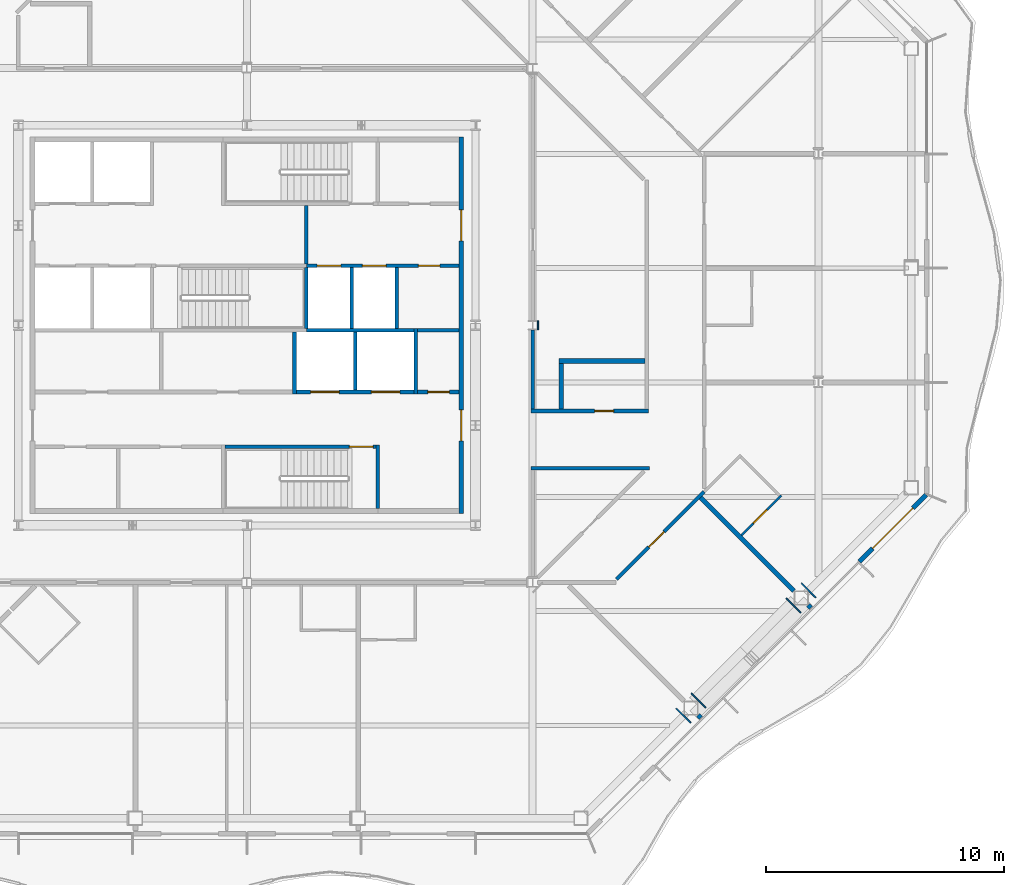
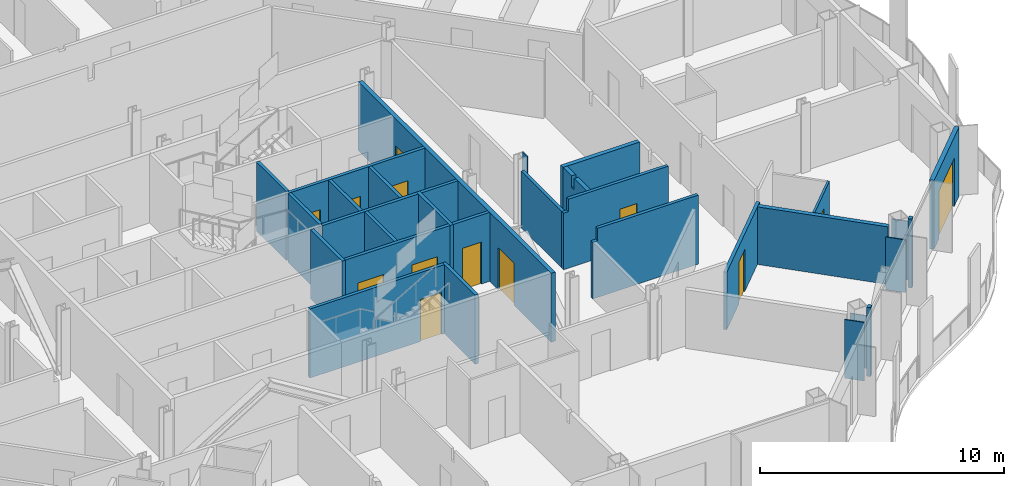
# One storey, part 10 of 21: 31 walls, 13 doors, 13 openings.
"""IFC4 building model written with IfcOpenShell, lengths in metres."""

from ifc_helpers import new_model, si_unit, direction, frame, frame_2d, origin, place, context, subcontext, project, spatial, polyline, rectangle, outline, extrude, material, layer, layer_set, type_object, element, fill, save


model = new_model("IFC4")

# Units and contexts
model_context = context("Model", 3, precision=1e-05, world=origin(), true_north=direction((0.0, 1.0)))
body_context = subcontext(model_context, "Body", "Model", "MODEL_VIEW")
ifc_project = project(units=[si_unit("LENGTHUNIT", "METRE"), si_unit("AREAUNIT", "SQUARE_METRE"), si_unit("VOLUMEUNIT", "CUBIC_METRE"), si_unit("PLANEANGLEUNIT", "RADIAN"), si_unit("MASSUNIT", "GRAM", prefix="KILO")], contexts=[model_context])

# Site, building, storey
site_placement = place(None, origin())
site = spatial("IfcSite", under=ifc_project, at=site_placement, CompositionType="ELEMENT")
building_placement = place(site_placement, origin())
building = spatial("IfcBuilding", under=site, at=building_placement, Name="Cairn Pilgrim Tower", CompositionType="ELEMENT")
storey_placement = place(building_placement, frame((0.0, 0.0, 150.60009765625)))
storey = spatial("IfcBuildingStorey", under=building, at=storey_placement, Name="L37", CompositionType="ELEMENT", Elevation=150.60009765625)

# Wall, opening, door
ifc_material_1 = material(Name="Bronze anodised aluminium insulated sandwich panel with mineral wool fill", Category="aluminium")
ifc_layer_1 = layer(ifc_material_1, 0.199951171875)
ifc_layer_set_1 = layer_set([ifc_layer_1], Name="BRONZE INFILL FRAME WALL 200")
wall_type_1 = type_object("IfcWallType", Name="BRONZE INFILL FRAME WALL 200", PredefinedType="NOTDEFINED", material=ifc_layer_set_1)
wall_1_placement = place(storey_placement, frame((32.92041015625, -7.52587890625, 0.0), z_axis=(0.0, 0.0, 1.0), x_axis=(0.707106781187, 0.707106781187, 0.0)))
wall_1 = element("IfcWall", 1, at=wall_1_placement, inside=storey, type_object=wall_type_1, Name="Bronze infill frame wall IW-SE5", PredefinedType="NOTDEFINED", context=body_context, shape_type="SweptSolid", body=[
    extrude(rectangle(XDim=3.961669921875, YDim=0.199951171875, at=frame_2d((1.98095703125, 0.0))), origin(), (0.0, 0.0, 1.0), 3.449951171875),
])
opening_1_placement = place(wall_1_placement, frame((0.78564453125, 0.0, 0.0)))
opening_1 = element("IfcOpeningElement", 2, at=opening_1_placement, cuts=wall_1, Name="Opening 3703B2", PredefinedType="OPENING", context=body_context, shape_type="SweptSolid", body=[
    extrude(rectangle(XDim=2.39990234375, YDim=2.39990234375, at=frame_2d((1.199951171875, 1.199951171875))), frame((0.0, 0.10986328125, 0.0), z_axis=(0.0, -1.0, 0.0), x_axis=(1.0, 0.0, 0.0)), (0.0, 0.0, 1.0), 0.219970703125),
])
ifc_material_2 = material(Name="Bronze anodised aluminium frame with tinted low-E glass", Category="aluminium")
door_type_1 = type_object("IfcDoorType", Name="BALCONY SLIDING DOOR 2400x2400", OperationType="DOUBLE_DOOR_SLIDING", PredefinedType="DOOR", material=ifc_material_2)
door_1_placement = place(opening_1_placement, origin())
door_1 = element("IfcDoor", 3, at=door_1_placement, inside=storey, type_object=door_type_1, Name="Balcony sliding door 3703B2", OperationType="SINGLE_SWING_LEFT", OverallHeight=2.39990234375, OverallWidth=2.39990234375, PredefinedType="DOOR", context=body_context, shape_type="SweptSolid", body=[
    extrude(rectangle(XDim=2.39990234375, YDim=2.39990234375, at=frame_2d((1.199951171875, 1.199951171875))), frame((0.0, 0.02490234375, 0.0), z_axis=(0.0, -1.0, 0.0), x_axis=(1.0, 0.0, 0.0)), (0.0, 0.0, 1.0), 0.050048828125),
])
fill(opening_1, door_1)

# Wall, openings, doors
ifc_material_3 = material(Name="Concrete C32/40", Category="concrete")
ifc_layer_2 = layer(ifc_material_3, 0.199951171875)
ifc_layer_set_2 = layer_set([ifc_layer_2], Name="CORE OUTER WALL 200 EI 120")
wall_type_2 = type_object("IfcWallType", Name="CORE OUTER WALL 200 EI 120", PredefinedType="SOLIDWALL", material=ifc_layer_set_2)
wall_2_placement = place(storey_placement, frame((16.199951171875, -5.5, 0.0), z_axis=(0.0, 0.0, 1.0), x_axis=(0.0, 1.0, 0.0)))
wall_2 = element("IfcWall", 4, at=wall_2_placement, inside=storey, type_object=wall_type_2, Name="CW:L37:V31", PredefinedType="SOLIDWALL", context=body_context, shape_type="SweptSolid", body=[
    extrude(rectangle(XDim=15.800048828125, YDim=0.199951171875, at=frame_2d((7.89990234375, 0.0))), origin(), (0.0, 0.0, 1.0), 3.449951171875),
])
opening_2_placement = place(wall_2_placement, frame((3.050048828125, 0.0, 0.0)))
opening_2 = element("IfcOpeningElement", 5, at=opening_2_placement, cuts=wall_2, Name="Opening CD-E1", PredefinedType="OPENING", context=body_context, shape_type="SweptSolid", body=[
    extrude(rectangle(XDim=1.300048828125, YDim=2.10009765625, at=frame_2d((0.64990234375, 1.050048828125))), frame((0.0, 0.10986328125, 0.0), z_axis=(0.0, -1.0, 0.0), x_axis=(1.0, 0.0, 0.0)), (0.0, 0.0, 1.0), 0.219970703125),
])
opening_3_placement = place(wall_2_placement, frame((11.449951171875, 0.0, 0.0)))
opening_3 = element("IfcOpeningElement", 6, at=opening_3_placement, cuts=wall_2, Name="Opening CD-E2", PredefinedType="OPENING", context=body_context, shape_type="SweptSolid", body=[
    extrude(rectangle(XDim=1.300048828125, YDim=2.10009765625, at=frame_2d((0.64990234375, 1.050048828125))), frame((0.0, 0.10986328125, 0.0), z_axis=(0.0, -1.0, 0.0), x_axis=(1.0, 0.0, 0.0)), (0.0, 0.0, 1.0), 0.219970703125),
])
ifc_material_4 = material(Name="Painted steel", Category="steel")
door_type_2 = type_object("IfcDoorType", Name="CORE LOBBY DOOR 1300x2100", OperationType="DOUBLE_DOOR_SINGLE_SWING", PredefinedType="DOOR", material=ifc_material_4)
door_2_placement = place(opening_2_placement, origin())
door_2 = element("IfcDoor", 7, at=door_2_placement, inside=storey, type_object=door_type_2, Name="CD-E1", OperationType="DOUBLE_DOOR_SINGLE_SWING", OverallHeight=2.10009765625, OverallWidth=1.300048828125, PredefinedType="DOOR", context=body_context, shape_type="SweptSolid", body=[
    extrude(rectangle(XDim=1.300048828125, YDim=2.10009765625, at=frame_2d((0.64990234375, 1.050048828125))), frame((0.0, 0.02490234375, 0.0), z_axis=(0.0, -1.0, 0.0), x_axis=(1.0, 0.0, 0.0)), (0.0, 0.0, 1.0), 0.050048828125),
])
fill(opening_2, door_2)
door_3_placement = place(opening_3_placement, origin())
door_3 = element("IfcDoor", 8, at=door_3_placement, inside=storey, type_object=door_type_2, Name="CD-E2", OperationType="DOUBLE_DOOR_SINGLE_SWING", OverallHeight=2.10009765625, OverallWidth=1.300048828125, PredefinedType="DOOR", context=body_context, shape_type="SweptSolid", body=[
    extrude(rectangle(XDim=1.300048828125, YDim=2.10009765625, at=frame_2d((0.64990234375, 1.050048828125))), frame((0.0, 0.02490234375, 0.0), z_axis=(0.0, -1.0, 0.0), x_axis=(1.0, 0.0, 0.0)), (0.0, 0.0, 1.0), 0.050048828125),
])
fill(opening_3, door_3)

# Wall, opening, door
ifc_layer_3 = layer(ifc_material_3, 0.14990234375)
ifc_layer_set_3 = layer_set([ifc_layer_3], Name="CORE PARTITION 150 EI 60")
wall_type_3 = type_object("IfcWallType", Name="CORE PARTITION 150 EI 60", PredefinedType="PARTITIONING", material=ifc_layer_set_3)
wall_3_placement = place(storey_placement, frame((14.375, -0.39990234375, 0.0), z_axis=(0.0, 0.0, 1.0), x_axis=(1.0, 0.0, 0.0)))
wall_3 = element("IfcWall", 9, at=wall_3_placement, inside=storey, type_object=wall_type_3, Name="CW:L37:H06", PredefinedType="PARTITIONING", context=body_context, shape_type="SweptSolid", body=[
    extrude(rectangle(XDim=1.72509765625, YDim=0.14990234375, at=frame_2d((0.862548828125, 0.0))), origin(), (0.0, 0.0, 1.0), 3.449951171875),
])
opening_4_placement = place(wall_3_placement, frame((0.425048828125, 0.0, 0.0)))
opening_4 = element("IfcOpeningElement", 10, at=opening_4_placement, cuts=wall_3, Name="Opening RD-R2E", PredefinedType="OPENING", context=body_context, shape_type="SweptSolid", body=[
    extrude(rectangle(XDim=0.89990234375, YDim=2.10009765625, at=frame_2d((0.449951171875, 1.050048828125))), frame((0.0, 0.0849609375, 0.0), z_axis=(0.0, -1.0, 0.0), x_axis=(1.0, 0.0, 0.0)), (0.0, 0.0, 1.0), 0.169921875),
])
door_type_3 = type_object("IfcDoorType", Name="SERVICE ROOM DOOR 900x2100", OperationType="SINGLE_SWING_LEFT", PredefinedType="DOOR", material=ifc_material_4)
door_4_placement = place(opening_4_placement, origin())
door_4 = element("IfcDoor", 11, at=door_4_placement, inside=storey, type_object=door_type_3, Name="RD-R2E", OperationType="SINGLE_SWING_RIGHT", OverallHeight=2.10009765625, OverallWidth=0.89990234375, PredefinedType="DOOR", context=body_context, shape_type="SweptSolid", body=[
    extrude(rectangle(XDim=0.89990234375, YDim=2.10009765625, at=frame_2d((0.449951171875, 1.050048828125))), frame((0.0, 0.02490234375, 0.0), z_axis=(0.0, -1.0, 0.0), x_axis=(1.0, 0.0, 0.0)), (0.0, 0.0, 1.0), 0.050048828125),
])
fill(opening_4, door_4)

# Wall
wall_4_placement = place(storey_placement, frame((14.375, 2.199951171875, 0.0), z_axis=(0.0, 0.0, 1.0), x_axis=(1.0, 0.0, 0.0)))
element("IfcWall", 12, at=wall_4_placement, inside=storey, type_object=wall_type_3, Name="CW:L37:H08", PredefinedType="PARTITIONING", context=body_context, shape_type="SweptSolid", body=[
    extrude(rectangle(XDim=1.72509765625, YDim=0.14990234375, at=frame_2d((0.862548828125, 0.0))), origin(), (0.0, 0.0, 1.0), 3.449951171875),
])

# Wall, openings, doors
ifc_layer_4 = layer(ifc_material_3, 0.14990234375)
ifc_layer_set_4 = layer_set([ifc_layer_4], Name="CORE SHAFT WALL 150 EI 120")
wall_type_4 = type_object("IfcWallType", Name="CORE SHAFT WALL 150 EI 120", PredefinedType="SOLIDWALL", material=ifc_layer_set_4)
wall_5_placement = place(storey_placement, frame((9.27490234375, -0.39990234375, 0.0), z_axis=(0.0, 0.0, 1.0), x_axis=(1.0, 0.0, 0.0)))
wall_5 = element("IfcWall", 13, at=wall_5_placement, inside=storey, type_object=wall_type_4, Name="CW:L37:H05", PredefinedType="SOLIDWALL", context=body_context, shape_type="SweptSolid", body=[
    extrude(rectangle(XDim=4.9501953125, YDim=0.14990234375, at=frame_2d((2.47509765625, 0.0))), origin(), (0.0, 0.0, 1.0), 3.449951171875),
])
opening_5_placement = place(wall_5_placement, frame((0.60009765625, 0.0, 0.0)))
opening_5 = element("IfcOpeningElement", 14, at=opening_5_placement, cuts=wall_5, Name="Opening LD-SV1", PredefinedType="OPENING", context=body_context, shape_type="SweptSolid", body=[
    extrude(rectangle(XDim=1.199951171875, YDim=2.10009765625, at=frame_2d((0.60009765625, 1.050048828125))), frame((0.0, 0.0849609375, 0.0), z_axis=(0.0, -1.0, 0.0), x_axis=(1.0, 0.0, 0.0)), (0.0, 0.0, 1.0), 0.169921875),
])
opening_6_placement = place(wall_5_placement, frame((3.14990234375, 0.0, 0.0)))
opening_6 = element("IfcOpeningElement", 15, at=opening_6_placement, cuts=wall_5, Name="Opening LD-SV2", PredefinedType="OPENING", context=body_context, shape_type="SweptSolid", body=[
    extrude(rectangle(XDim=1.199951171875, YDim=2.10009765625, at=frame_2d((0.60009765625, 1.050048828125))), frame((0.0, 0.0849609375, 0.0), z_axis=(0.0, -1.0, 0.0), x_axis=(1.0, 0.0, 0.0)), (0.0, 0.0, 1.0), 0.169921875),
])
ifc_material_5 = material(Name="Stainless steel", Category="steel")
door_type_4 = type_object("IfcDoorType", Name="LIFT LANDING DOOR 1200x2100", OperationType="DOUBLE_DOOR_SLIDING", PredefinedType="DOOR", material=ifc_material_5)
door_5_placement = place(opening_5_placement, origin())
door_5 = element("IfcDoor", 16, at=door_5_placement, inside=storey, type_object=door_type_4, Name="LANDING DOOR SV1", OperationType="DOUBLE_DOOR_SLIDING", OverallHeight=2.10009765625, OverallWidth=1.199951171875, PredefinedType="DOOR", context=body_context, shape_type="SweptSolid", body=[
    extrude(rectangle(XDim=1.199951171875, YDim=2.10009765625, at=frame_2d((0.60009765625, 1.050048828125))), frame((0.0, 0.02490234375, 0.0), z_axis=(0.0, -1.0, 0.0), x_axis=(1.0, 0.0, 0.0)), (0.0, 0.0, 1.0), 0.050048828125),
])
fill(opening_5, door_5)
door_6_placement = place(opening_6_placement, origin())
door_6 = element("IfcDoor", 17, at=door_6_placement, inside=storey, type_object=door_type_4, Name="LANDING DOOR SV2", OperationType="DOUBLE_DOOR_SLIDING", OverallHeight=2.10009765625, OverallWidth=1.199951171875, PredefinedType="DOOR", context=body_context, shape_type="SweptSolid", body=[
    extrude(rectangle(XDim=1.199951171875, YDim=2.10009765625, at=frame_2d((0.60009765625, 1.050048828125))), frame((0.0, 0.02490234375, 0.0), z_axis=(0.0, -1.0, 0.0), x_axis=(1.0, 0.0, 0.0)), (0.0, 0.0, 1.0), 0.050048828125),
])
fill(opening_6, door_6)

# Wall
wall_6_placement = place(storey_placement, frame((9.699951171875, 2.199951171875, 0.0), z_axis=(0.0, 0.0, 1.0), x_axis=(1.0, 0.0, 0.0)))
element("IfcWall", 18, at=wall_6_placement, inside=storey, type_object=wall_type_4, Name="CW:L37:H07-3", PredefinedType="SOLIDWALL", context=body_context, shape_type="SweptSolid", body=[
    extrude(rectangle(XDim=4.525146484375, YDim=0.14990234375, at=frame_2d((2.2626953125, 0.0))), origin(), (0.0, 0.0, 1.0), 3.449951171875),
])

# Wall, openings, doors
wall_7_placement = place(storey_placement, frame((9.699951171875, 4.89990234375, 0.0), z_axis=(0.0, 0.0, 1.0), x_axis=(1.0, 0.0, 0.0)))
wall_7 = element("IfcWall", 19, at=wall_7_placement, inside=storey, type_object=wall_type_4, Name="CW:L37:H09-3", PredefinedType="SOLIDWALL", context=body_context, shape_type="SweptSolid", body=[
    extrude(rectangle(XDim=6.400146484375, YDim=0.14990234375, at=frame_2d((3.2001953125, 0.0))), origin(), (0.0, 0.0, 1.0), 3.449951171875),
])
opening_7_placement = place(wall_7_placement, frame((0.449951171875, 0.0, 0.0)))
opening_7 = element("IfcOpeningElement", 20, at=opening_7_placement, cuts=wall_7, Name="Opening LD-FF1", PredefinedType="OPENING", context=body_context, shape_type="SweptSolid", body=[
    extrude(rectangle(XDim=1.0, YDim=2.10009765625, at=frame_2d((0.5, 1.050048828125))), frame((0.0, 0.0849609375, 0.0), z_axis=(0.0, -1.0, 0.0), x_axis=(1.0, 0.0, 0.0)), (0.0, 0.0, 1.0), 0.169921875),
])
opening_8_placement = place(wall_7_placement, frame((2.35009765625, 0.0, 0.0)))
opening_8 = element("IfcOpeningElement", 21, at=opening_8_placement, cuts=wall_7, Name="Opening LD-FF2", PredefinedType="OPENING", context=body_context, shape_type="SweptSolid", body=[
    extrude(rectangle(XDim=1.0, YDim=2.10009765625, at=frame_2d((0.5, 1.050048828125))), frame((0.0, 0.0849609375, 0.0), z_axis=(0.0, -1.0, 0.0), x_axis=(1.0, 0.0, 0.0)), (0.0, 0.0, 1.0), 0.169921875),
])
opening_9_placement = place(wall_7_placement, frame((4.699951171875, 0.0, 0.0)))
opening_9 = element("IfcOpeningElement", 22, at=opening_9_placement, cuts=wall_7, Name="Opening RD-R3E", PredefinedType="OPENING", context=body_context, shape_type="SweptSolid", body=[
    extrude(rectangle(XDim=0.89990234375, YDim=2.10009765625, at=frame_2d((0.449951171875, 1.050048828125))), frame((0.0, 0.0849609375, 0.0), z_axis=(0.0, -1.0, 0.0), x_axis=(1.0, 0.0, 0.0)), (0.0, 0.0, 1.0), 0.169921875),
])
door_type_5 = type_object("IfcDoorType", Name="LIFT LANDING DOOR FIRE 1000x2100", OperationType="DOUBLE_DOOR_SLIDING", PredefinedType="DOOR", material=ifc_material_5)
door_7_placement = place(opening_7_placement, origin())
door_7 = element("IfcDoor", 23, at=door_7_placement, inside=storey, type_object=door_type_5, Name="LANDING DOOR FF1", OperationType="DOUBLE_DOOR_SLIDING", OverallHeight=2.10009765625, OverallWidth=1.0, PredefinedType="DOOR", context=body_context, shape_type="SweptSolid", body=[
    extrude(rectangle(XDim=1.0, YDim=2.10009765625, at=frame_2d((0.5, 1.050048828125))), frame((0.0, 0.02490234375, 0.0), z_axis=(0.0, -1.0, 0.0), x_axis=(1.0, 0.0, 0.0)), (0.0, 0.0, 1.0), 0.050048828125),
])
fill(opening_7, door_7)
door_8_placement = place(opening_8_placement, origin())
door_8 = element("IfcDoor", 24, at=door_8_placement, inside=storey, type_object=door_type_5, Name="LANDING DOOR FF2", OperationType="DOUBLE_DOOR_SLIDING", OverallHeight=2.10009765625, OverallWidth=1.0, PredefinedType="DOOR", context=body_context, shape_type="SweptSolid", body=[
    extrude(rectangle(XDim=1.0, YDim=2.10009765625, at=frame_2d((0.5, 1.050048828125))), frame((0.0, 0.02490234375, 0.0), z_axis=(0.0, -1.0, 0.0), x_axis=(1.0, 0.0, 0.0)), (0.0, 0.0, 1.0), 0.050048828125),
])
fill(opening_8, door_8)
door_9_placement = place(opening_9_placement, origin())
door_9 = element("IfcDoor", 25, at=door_9_placement, inside=storey, type_object=door_type_3, Name="RD-R3E", OperationType="SINGLE_SWING_LEFT", OverallHeight=2.10009765625, OverallWidth=0.89990234375, PredefinedType="DOOR", context=body_context, shape_type="SweptSolid", body=[
    extrude(rectangle(XDim=0.89990234375, YDim=2.10009765625, at=frame_2d((0.449951171875, 1.050048828125))), frame((0.0, 0.02490234375, 0.0), z_axis=(0.0, -1.0, 0.0), x_axis=(1.0, 0.0, 0.0)), (0.0, 0.0, 1.0), 0.050048828125),
])
fill(opening_9, door_9)

# Walls
wall_8_placement = place(storey_placement, frame((9.199951171875, -0.47509765625, 0.0), z_axis=(0.0, 0.0, 1.0), x_axis=(0.0, 1.0, 0.0)))
element("IfcWall", 26, at=wall_8_placement, inside=storey, type_object=wall_type_4, Name="CW:L37:V22", PredefinedType="SOLIDWALL", context=body_context, shape_type="SweptSolid", body=[
    extrude(rectangle(XDim=2.60009765625, YDim=0.14990234375, at=frame_2d((1.300048828125, 0.0))), origin(), (0.0, 0.0, 1.0), 3.449951171875),
])
wall_9_placement = place(storey_placement, frame((9.699951171875, 4.97509765625, 0.0), z_axis=(0.0, 0.0, 1.0), x_axis=(0.0, 1.0, 0.0)))
element("IfcWall", 27, at=wall_9_placement, inside=storey, type_object=wall_type_4, Name="CW:L37:V24", PredefinedType="SOLIDWALL", context=body_context, shape_type="SweptSolid", body=[
    extrude(rectangle(XDim=2.449951171875, YDim=0.14990234375, at=frame_2d((1.22509765625, 0.0))), origin(), (0.0, 0.0, 1.0), 3.449951171875),
])
wall_10_placement = place(storey_placement, frame((11.60009765625, 2.27490234375, 0.0), z_axis=(0.0, 0.0, 1.0), x_axis=(0.0, 1.0, 0.0)))
element("IfcWall", 28, at=wall_10_placement, inside=storey, type_object=wall_type_4, Name="CW:L37:V25", PredefinedType="SOLIDWALL", context=body_context, shape_type="SweptSolid", body=[
    extrude(rectangle(XDim=2.550048828125, YDim=0.14990234375, at=frame_2d((1.27490234375, 0.0))), origin(), (0.0, 0.0, 1.0), 3.449951171875),
])
wall_11_placement = place(storey_placement, frame((11.75, -0.324951171875, 0.0), z_axis=(0.0, 0.0, 1.0), x_axis=(0.0, 1.0, 0.0)))
element("IfcWall", 29, at=wall_11_placement, inside=storey, type_object=wall_type_4, Name="CW:L37:V26", PredefinedType="SOLIDWALL", context=body_context, shape_type="SweptSolid", body=[
    extrude(rectangle(XDim=2.449951171875, YDim=0.14990234375, at=frame_2d((1.22509765625, 0.0))), origin(), (0.0, 0.0, 1.0), 3.449951171875),
])
wall_12_placement = place(storey_placement, frame((13.5, 2.27490234375, 0.0), z_axis=(0.0, 0.0, 1.0), x_axis=(0.0, 1.0, 0.0)))
element("IfcWall", 30, at=wall_12_placement, inside=storey, type_object=wall_type_4, Name="CW:L37:V29", PredefinedType="SOLIDWALL", context=body_context, shape_type="SweptSolid", body=[
    extrude(rectangle(XDim=2.550048828125, YDim=0.14990234375, at=frame_2d((1.27490234375, 0.0))), origin(), (0.0, 0.0, 1.0), 3.449951171875),
])
wall_13_placement = place(storey_placement, frame((14.300048828125, -0.47509765625, 0.0), z_axis=(0.0, 0.0, 1.0), x_axis=(0.0, 1.0, 0.0)))
element("IfcWall", 31, at=wall_13_placement, inside=storey, type_object=wall_type_4, Name="CW:L37:V30", PredefinedType="SOLIDWALL", context=body_context, shape_type="SweptSolid", body=[
    extrude(rectangle(XDim=2.75, YDim=0.14990234375, at=frame_2d((1.375, 0.0))), origin(), (0.0, 0.0, 1.0), 3.449951171875),
])

# Wall, opening, door
ifc_material_6 = material(Name="Gypsum partition")
ifc_layer_5 = layer(ifc_material_6, 0.10009765625)
ifc_layer_set_5 = layer_set([ifc_layer_5], Name="PARTITION 100 DRYWALL")
wall_type_5 = type_object("IfcWallType", Name="PARTITION 100 DRYWALL", PredefinedType="PARTITIONING", material=ifc_layer_set_5)
wall_14_placement = place(storey_placement, frame((27.976806640625, -6.411376953125, 0.0), z_axis=(0.0, 0.0, 1.0), x_axis=(0.707054828152, 0.707158730404, 0.0)))
wall_14 = element("IfcWall", 32, at=wall_14_placement, inside=storey, type_object=wall_type_5, Name="PARTITION W037", PredefinedType="PARTITIONING", context=body_context, shape_type="SweptSolid", body=[
    extrude(rectangle(XDim=2.349609375, YDim=0.10009765625, at=frame_2d((1.1748046875, 0.0))), origin(), (0.0, 0.0, 1.0), 2.8798828125),
])
opening_10_placement = place(wall_14_placement, frame((0.699951171875, 0.0, 0.0)))
opening_10 = element("IfcOpeningElement", 33, at=opening_10_placement, cuts=wall_14, Name="Opening 3703A", PredefinedType="OPENING", context=body_context, shape_type="SweptSolid", body=[
    extrude(rectangle(XDim=0.800048828125, YDim=2.10009765625, at=frame_2d((0.39990234375, 1.050048828125))), frame((0.0, 0.06005859375, 0.0), z_axis=(0.0, -1.0, 0.0), x_axis=(1.0, 0.0, 0.0)), (0.0, 0.0, 1.0), 0.1201171875),
])
ifc_material_7 = material(Name="Timber door leaf", Category="wood")
door_type_6 = type_object("IfcDoorType", Name="WC DOOR 800x2100", OperationType="NOTDEFINED", PredefinedType="DOOR", material=ifc_material_7)
door_10_placement = place(opening_10_placement, frame((0.800048828125, 0.0, 0.0), z_axis=(0.0, 0.0, 1.0), x_axis=(-1.0, 0.0, 0.0)))
door_10 = element("IfcDoor", 34, at=door_10_placement, inside=storey, type_object=door_type_6, Name="DOOR 3703A", OperationType="SINGLE_SWING_LEFT", OverallHeight=2.10009765625, OverallWidth=0.800048828125, PredefinedType="DOOR", context=body_context, shape_type="SweptSolid", body=[
    extrude(rectangle(XDim=0.800048828125, YDim=2.10009765625, at=frame_2d((0.39990234375, 1.050048828125))), frame((0.0, 0.02490234375, 0.0), z_axis=(0.0, -1.0, 0.0), x_axis=(1.0, 0.0, 0.0)), (0.0, 0.0, 1.0), 0.050048828125),
])
fill(opening_10, door_10)

ifc_layer_6 = layer(ifc_material_6, 0.14990234375)
ifc_layer_set_6 = layer_set([ifc_layer_6], Name="PARTITION 150 DRYWALL EI 60")
wall_type_6 = type_object("IfcWallType", Name="PARTITION 150 DRYWALL EI 60", PredefinedType="PARTITIONING", material=ifc_layer_set_6)
wall_15_placement = place(storey_placement, frame((22.721923828125, -8.27197265625, 0.0), z_axis=(0.0, 0.0, 1.0), x_axis=(0.707106781187, 0.707106781187, 0.0)))
wall_15 = element("IfcWall", 35, at=wall_15_placement, inside=storey, type_object=wall_type_6, Name="PARTITION W031", PredefinedType="PARTITIONING", context=body_context, shape_type="SweptSolid", body=[
    extrude(rectangle(XDim=5.201416015625, YDim=0.14990234375, at=frame_2d((2.6005859375, 0.0))), origin(), (0.0, 0.0, 1.0), 2.8798828125),
])
opening_11_placement = place(wall_15_placement, frame((1.92529296875, 0.0, 0.0)))
opening_11 = element("IfcOpeningElement", 36, at=opening_11_placement, cuts=wall_15, Name="Opening 3702", PredefinedType="OPENING", context=body_context, shape_type="SweptSolid", body=[
    extrude(rectangle(XDim=0.89990234375, YDim=2.10009765625, at=frame_2d((0.449951171875, 1.050048828125))), frame((0.0, 0.0849609375, 0.0), z_axis=(0.0, -1.0, 0.0), x_axis=(1.0, 0.0, 0.0)), (0.0, 0.0, 1.0), 0.169921875),
])
door_type_7 = type_object("IfcDoorType", Name="SERVICE DOOR 900x2100 FD30S", OperationType="NOTDEFINED", PredefinedType="DOOR", material=ifc_material_7)
door_11_placement = place(opening_11_placement, frame((0.89990234375, 0.0, 0.0), z_axis=(0.0, 0.0, 1.0), x_axis=(-1.0, 0.0, 0.0)))
door_11 = element("IfcDoor", 37, at=door_11_placement, inside=storey, type_object=door_type_7, Name="DOOR 3702", OperationType="SINGLE_SWING_LEFT", OverallHeight=2.10009765625, OverallWidth=0.89990234375, PredefinedType="DOOR", context=body_context, shape_type="SweptSolid", body=[
    extrude(rectangle(XDim=0.89990234375, YDim=2.10009765625, at=frame_2d((0.449951171875, 1.050048828125))), frame((0.0, 0.02490234375, 0.0), z_axis=(0.0, -1.0, 0.0), x_axis=(1.0, 0.0, 0.0)), (0.0, 0.0, 1.0), 0.050048828125),
])
fill(opening_11, door_11)

# Wall
wall_16_placement = place(storey_placement, frame((19.125, -3.60009765625, 0.0), z_axis=(0.0, 0.0, 1.0), x_axis=(1.0, 0.0, 0.0)))
element("IfcWall", 38, at=wall_16_placement, inside=storey, type_object=wall_type_6, Name="PARTITION W043", PredefinedType="PARTITIONING", context=body_context, shape_type="SweptSolid", body=[
    extrude(outline(polyline([(0.0, 0.0), (4.981201171875, 0.0), (4.981201171875, 3.449951171875), (0.22509765625, 3.449951171875), (0.222900390625, 2.829833984375), (0.0, 2.829833984375), (0.0, 0.0)])), frame((0.0, 0.074951171875, 0.0), z_axis=(0.0, -1.0, 0.0), x_axis=(1.0, 0.0, 0.0)), (0.0, 0.0, 1.0), 0.14990234375),
])

# Wall, opening, door
wall_17_placement = place(storey_placement, frame((19.125, -1.199951171875, 0.0), z_axis=(0.0, 0.0, 1.0), x_axis=(1.0, 0.0, 0.0)))
wall_17 = element("IfcWall", 39, at=wall_17_placement, inside=storey, type_object=wall_type_6, Name="PARTITION W045", PredefinedType="PARTITIONING", context=body_context, shape_type="SweptSolid", body=[
    extrude(outline(polyline([(0.0, 0.0), (4.949951171875, 0.0), (4.949951171875, 3.449951171875), (0.22509765625, 3.449951171875), (0.222900390625, 2.829833984375), (0.0, 2.829833984375), (0.0, 0.0)])), frame((0.0, 0.074951171875, 0.0), z_axis=(0.0, -1.0, 0.0), x_axis=(1.0, 0.0, 0.0)), (0.0, 0.0, 1.0), 0.14990234375),
])
opening_12_placement = place(wall_17_placement, frame((2.675048828125, 0.0, 0.0)))
opening_12 = element("IfcOpeningElement", 40, at=opening_12_placement, cuts=wall_17, Name="Opening 3724", PredefinedType="OPENING", context=body_context, shape_type="SweptSolid", body=[
    extrude(rectangle(XDim=0.800048828125, YDim=2.10009765625, at=frame_2d((0.39990234375, 1.050048828125))), frame((0.0, 0.0849609375, 0.0), z_axis=(0.0, -1.0, 0.0), x_axis=(1.0, 0.0, 0.0)), (0.0, 0.0, 1.0), 0.169921875),
])
door_type_8 = type_object("IfcDoorType", Name="WC DOOR 800x2100 FD30S", OperationType="NOTDEFINED", PredefinedType="DOOR", material=ifc_material_7)
door_12_placement = place(opening_12_placement, origin())
door_12 = element("IfcDoor", 41, at=door_12_placement, inside=storey, type_object=door_type_8, Name="DOOR 3724", OperationType="SINGLE_SWING_LEFT", OverallHeight=2.10009765625, OverallWidth=0.800048828125, PredefinedType="DOOR", context=body_context, shape_type="SweptSolid", body=[
    extrude(rectangle(XDim=0.800048828125, YDim=2.10009765625, at=frame_2d((0.39990234375, 1.050048828125))), frame((0.0, 0.02490234375, 0.0), z_axis=(0.0, -1.0, 0.0), x_axis=(1.0, 0.0, 0.0)), (0.0, 0.0, 1.0), 0.050048828125),
])
fill(opening_12, door_12)

# Walls
wall_18_placement = place(storey_placement, frame((19.199951171875, -1.125, 0.0), z_axis=(0.0, 0.0, 1.0), x_axis=(0.0, 1.0, 0.0)))
element("IfcWall", 42, at=wall_18_placement, inside=storey, type_object=wall_type_6, Name="PARTITION W048", PredefinedType="PARTITIONING", context=body_context, shape_type="SweptSolid", body=[
    extrude(rectangle(XDim=3.32861328125, YDim=0.14990234375, at=frame_2d((1.664306640625, 0.0))), origin(), (0.0, 0.0, 1.0), 2.829833984375),
])
ifc_layer_7 = layer(ifc_material_6, 0.050048828125)
ifc_layer_set_7 = layer_set([ifc_layer_7], Name="PARTITION 50 DRYWALL EI 60")
wall_type_7 = type_object("IfcWallType", Name="PARTITION 50 DRYWALL EI 60", PredefinedType="PARTITIONING", material=ifc_layer_set_7)
wall_19_placement = place(storey_placement, frame((25.833740234375, -14.29345703125, 0.0), z_axis=(0.0, 0.0, 1.0), x_axis=(-0.706962899457, 0.707250633645, 0.0)))
element("IfcWall", 43, at=wall_19_placement, inside=storey, type_object=wall_type_7, Name="COLUMN CASING WC05", PredefinedType="PARTITIONING", context=body_context, shape_type="SweptSolid", body=[
    extrude(rectangle(XDim=0.848388671875, YDim=0.050048828125, at=frame_2d((0.42431640625, 0.0))), origin(), (0.0, 0.0, 1.0), 2.929931640625),
])
wall_20_placement = place(storey_placement, frame((26.46923828125, -13.657958984375, 0.0), z_axis=(0.0, 0.0, 1.0), x_axis=(-0.707250633645, 0.706962899457, 0.0)))
element("IfcWall", 44, at=wall_20_placement, inside=storey, type_object=wall_type_7, Name="COLUMN CASING WC06", PredefinedType="PARTITIONING", context=body_context, shape_type="SweptSolid", body=[
    extrude(rectangle(XDim=0.848388671875, YDim=0.050048828125, at=frame_2d((0.42431640625, 0.0))), origin(), (0.0, 0.0, 1.0), 2.6298828125),
])
wall_21_placement = place(storey_placement, frame((30.4580078125, -9.669189453125, 0.0), z_axis=(0.0, 0.0, 1.0), x_axis=(-0.707106781187, 0.707106781187, 0.0)))
element("IfcWall", 45, at=wall_21_placement, inside=storey, type_object=wall_type_7, Name="COLUMN CASING WC08", PredefinedType="PARTITIONING", context=body_context, shape_type="SweptSolid", body=[
    extrude(rectangle(XDim=0.8486328125, YDim=0.050048828125, at=frame_2d((0.42431640625, 0.0))), origin(), (0.0, 0.0, 1.0), 2.6298828125),
])
wall_22_placement = place(storey_placement, frame((31.093505859375, -9.03369140625, 0.0), z_axis=(0.0, 0.0, 1.0), x_axis=(-0.707250633645, 0.706962899457, 0.0)))
element("IfcWall", 46, at=wall_22_placement, inside=storey, type_object=wall_type_7, Name="COLUMN CASING WC09", PredefinedType="PARTITIONING", context=body_context, shape_type="SweptSolid", body=[
    extrude(rectangle(XDim=0.848388671875, YDim=0.050048828125, at=frame_2d((0.42431640625, 0.0))), origin(), (0.0, 0.0, 1.0), 2.929931640625),
])
wall_23_placement = place(storey_placement, frame((19.424560546875, 2.20361328125, 0.0), z_axis=(0.0, 0.0, 1.0), x_axis=(0.0, 1.0, 0.0)))
element("IfcWall", 47, at=wall_23_placement, inside=storey, type_object=wall_type_7, Name="COLUMN CASING WC19", PredefinedType="PARTITIONING", context=body_context, shape_type="SweptSolid", body=[
    extrude(rectangle(XDim=0.392822265625, YDim=0.050048828125, at=frame_2d((0.1962890625, 0.0))), origin(), (0.0, 0.0, 1.0), 3.449951171875),
])
ifc_layer_8 = layer(ifc_material_6, 0.199951171875)
ifc_layer_set_8 = layer_set([ifc_layer_8], Name="SHAFT WALL 200 GYPSUM EI 60")
wall_type_8 = type_object("IfcWallType", Name="SHAFT WALL 200 GYPSUM EI 60", PredefinedType="PARTITIONING", material=ifc_layer_set_8)
for number, where, z_axis, x_axis, name in (
    (48, (26.268798828125, -14.0927734375, 0.0), (0.0, 0.0, 1.0), (-0.707106781187, 0.707106781187, 0.0), "PARTITION W008"),
    (49, (30.892822265625, -9.46875, 0.0), (0.0, 0.0, 1.0), (-0.707106781187, 0.707106781187, 0.0), "PARTITION W023"),
):
    element("IfcWall", number, at=place(storey_placement, frame(where, z_axis=z_axis, x_axis=x_axis)), inside=storey, type_object=wall_type_8, Name=name, PredefinedType="PARTITIONING", context=body_context, shape_type="SweptSolid", body=[
        extrude(rectangle(XDim=0.165771484375, YDim=0.199951171875, at=frame_2d((0.0830078125, 0.0))), origin(), (0.0, 0.0, 1.0), 3.449951171875),
    ])
wall_24_placement = place(storey_placement, frame((30.175537109375, -8.751708984375, 0.0), z_axis=(0.0, 0.0, 1.0), x_axis=(-0.707084725798, 0.707128835887, 0.0)))
element("IfcWall", 50, at=wall_24_placement, inside=storey, type_object=wall_type_8, Name="PARTITION W025", PredefinedType="PARTITIONING", context=body_context, shape_type="SweptSolid", body=[
    extrude(rectangle(XDim=5.534912109375, YDim=0.199951171875, at=frame_2d((2.767578125, 0.0))), origin(), (0.0, 0.0, 1.0), 2.8798828125),
])
wall_25_placement = place(storey_placement, frame((20.39990234375, -1.125, 0.0), z_axis=(0.0, 0.0, 1.0), x_axis=(0.0, 1.0, 0.0)))
element("IfcWall", 51, at=wall_25_placement, inside=storey, type_object=wall_type_8, Name="PARTITION W049", PredefinedType="PARTITIONING", context=body_context, shape_type="SweptSolid", body=[
    extrude(outline(polyline([(0.0, 0.0), (1.925048828125, 0.0), (1.925048828125, 3.449951171875), (1.22998046875, 3.449951171875), (1.22802734375, 2.8798828125), (1.02001953125, 2.8798828125), (1.01806640625, 3.449951171875), (0.0, 3.449951171875), (0.0, 0.0)])), frame((0.0, 0.10009765625, 0.0), z_axis=(0.0, -1.0, 0.0), x_axis=(1.0, 0.0, 0.0)), (0.0, 0.0, 1.0), 0.199951171875),
])
wall_26_placement = place(storey_placement, frame((20.300048828125, 0.89990234375, 0.0), z_axis=(0.0, 0.0, 1.0), x_axis=(1.0, 0.0, 0.0)))
element("IfcWall", 52, at=wall_26_placement, inside=storey, type_object=wall_type_8, Name="PARTITION W055", PredefinedType="PARTITIONING", context=body_context, shape_type="SweptSolid", body=[
    extrude(rectangle(XDim=3.625, YDim=0.199951171875, at=frame_2d((1.8125, 0.0))), origin(), (0.0, 0.0, 1.0), 3.449951171875),
])

# Wall, opening, door
ifc_material_8 = material(Name="Concrete C35/45", Category="concrete")
ifc_layer_9 = layer(ifc_material_8, 0.14990234375)
ifc_layer_set_9 = layer_set([ifc_layer_9], Name="STAIR SHAFT WALL 150 EI 120")
wall_type_9 = type_object("IfcWallType", Name="STAIR SHAFT WALL 150 EI 120", PredefinedType="SOLIDWALL", material=ifc_layer_set_9)
wall_27_placement = place(storey_placement, frame((6.27490234375, -2.699951171875, 0.0), z_axis=(0.0, 0.0, 1.0), x_axis=(1.0, 0.0, 0.0)))
wall_27 = element("IfcWall", 53, at=wall_27_placement, inside=storey, type_object=wall_type_9, Name="CW:L37:H03", PredefinedType="SOLIDWALL", context=body_context, shape_type="SweptSolid", body=[
    extrude(rectangle(XDim=6.35009765625, YDim=0.14990234375, at=frame_2d((3.175048828125, 0.0))), origin(), (0.0, 0.0, 1.0), 3.449951171875),
])
opening_13_placement = place(wall_27_placement, frame((5.22509765625, 0.0, 0.0)))
opening_13 = element("IfcOpeningElement", 54, at=opening_13_placement, cuts=wall_27, Name="Opening SD-A", PredefinedType="OPENING", context=body_context, shape_type="SweptSolid", body=[
    extrude(rectangle(XDim=1.0, YDim=2.10009765625, at=frame_2d((0.5, 1.050048828125))), frame((0.0, 0.0849609375, 0.0), z_axis=(0.0, -1.0, 0.0), x_axis=(1.0, 0.0, 0.0)), (0.0, 0.0, 1.0), 0.169921875),
])
door_type_9 = type_object("IfcDoorType", Name="STAIR DOOR FD60S 1000x2100", OperationType="SINGLE_SWING_LEFT", PredefinedType="DOOR", material=ifc_material_4)
door_13_placement = place(opening_13_placement, origin())
door_13 = element("IfcDoor", 55, at=door_13_placement, inside=storey, type_object=door_type_9, Name="SD-A", OperationType="SINGLE_SWING_LEFT", OverallHeight=2.10009765625, OverallWidth=1.0, PredefinedType="DOOR", context=body_context, shape_type="SweptSolid", body=[
    extrude(rectangle(XDim=1.0, YDim=2.10009765625, at=frame_2d((0.5, 1.050048828125))), frame((0.0, 0.02490234375, 0.0), z_axis=(0.0, -1.0, 0.0), x_axis=(1.0, 0.0, 0.0)), (0.0, 0.0, 1.0), 0.050048828125),
])
fill(opening_13, door_13)

# Walls
wall_28_placement = place(storey_placement, frame((9.699951171875, 2.27490234375, 0.0), z_axis=(0.0, 0.0, 1.0), x_axis=(0.0, 1.0, 0.0)))
element("IfcWall", 56, at=wall_28_placement, inside=storey, type_object=wall_type_9, Name="CW:L37:V23", PredefinedType="SOLIDWALL", context=body_context, shape_type="SweptSolid", body=[
    extrude(rectangle(XDim=2.550048828125, YDim=0.14990234375, at=frame_2d((1.27490234375, 0.0))), origin(), (0.0, 0.0, 1.0), 3.449951171875),
])
wall_29_placement = place(storey_placement, frame((12.699951171875, -5.300048828125, 0.0), z_axis=(0.0, 0.0, 1.0), x_axis=(0.0, 1.0, 0.0)))
element("IfcWall", 57, at=wall_29_placement, inside=storey, type_object=wall_type_9, Name="CW:L37:V27", PredefinedType="SOLIDWALL", context=body_context, shape_type="SweptSolid", body=[
    extrude(rectangle(XDim=2.675048828125, YDim=0.14990234375, at=frame_2d((1.33740234375, 0.0))), origin(), (0.0, 0.0, 1.0), 3.449951171875),
])

save(model, "model.ifc")
